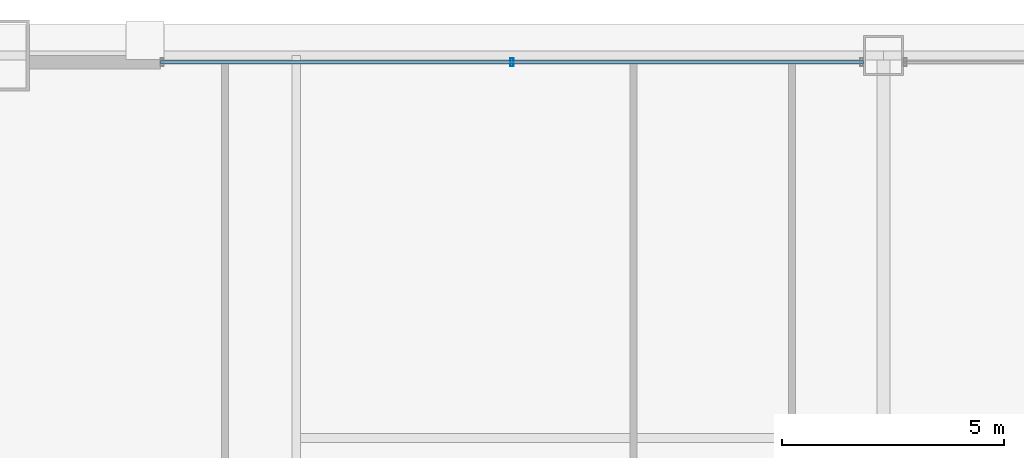
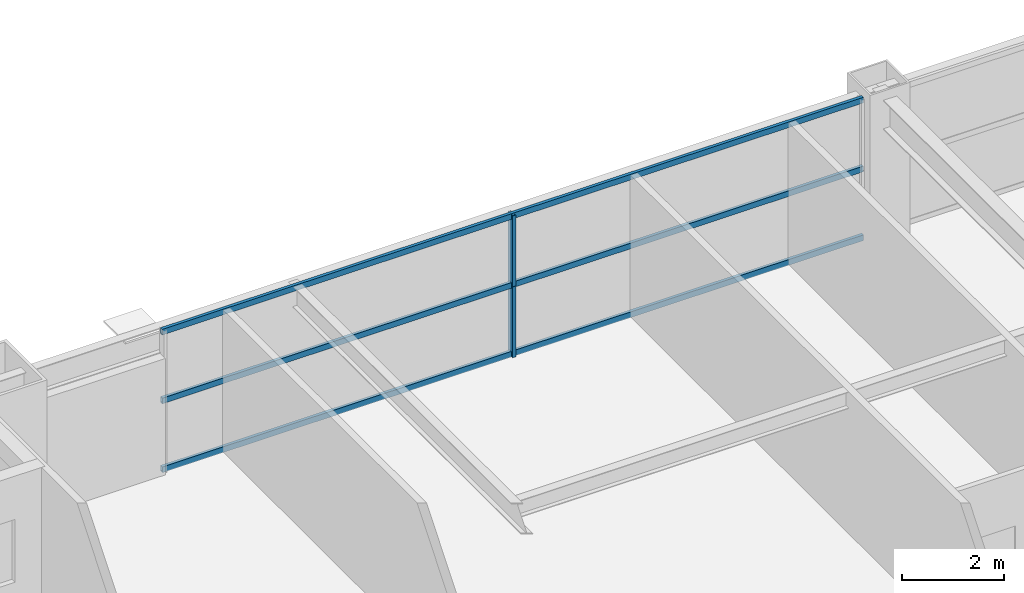
# One storey, part 24 of 38: 5 members, 1 element without a shape of its own.
"""IFC4 building model written with IfcOpenShell, lengths in metres."""

from ifc_helpers import new_model, si_unit, direction, frame, origin, origin_2d, place, context, subcontext, project, spatial, hollow_rectangle, extrude, source, transform, mapped, material, layer, layer_set, material_profile, profile_set, type_object, element, aggregate, save


model = new_model("IFC4")

# Units and contexts
model_context = context("Model", 3, precision=1e-05, world=origin(), true_north=direction((0.0, 1.0)))
body_context = subcontext(model_context, "Body", "Model", "MODEL_VIEW")
ifc_project = project(units=[si_unit("LENGTHUNIT", "METRE"), si_unit("AREAUNIT", "SQUARE_METRE"), si_unit("VOLUMEUNIT", "CUBIC_METRE"), si_unit("PLANEANGLEUNIT", "RADIAN"), si_unit("MASSUNIT", "GRAM", prefix="KILO"), si_unit("THERMODYNAMICTEMPERATUREUNIT", "KELVIN"), si_unit("POWERUNIT", "WATT")], contexts=[model_context])

# Site, building, storey
site_placement = place(None, origin())
site = spatial("IfcSite", under=ifc_project, at=site_placement, CompositionType="ELEMENT")
building_placement = place(site_placement, origin())
building = spatial("IfcBuilding", under=site, at=building_placement, Name="Yuzanri Waterfront Tower", CompositionType="ELEMENT")
storey_placement = place(building_placement, frame((0.0, 0.0, 111.800048828125)))
storey = spatial("IfcBuildingStorey", under=building, at=storey_placement, Name="L29", CompositionType="ELEMENT", Elevation=111.800048828125)

# Curtain wall, members
ifc_material_1 = material(Name="Anodized Architectural Bronze", Category="metal")
ifc_layer = layer(ifc_material_1, 0.159912109375)
ifc_layer_set = layer_set([ifc_layer], Name="Anodized Architectural Bronze")
curtain_wall_type = type_object("IfcCurtainWallType", Name="Anodized Bronze Hotel Upper-Tier Solar-Control Unitized Curtain Wall 7800", PredefinedType="NOTDEFINED", material=ifc_layer_set)
curtain_wall_placement = place(storey_placement, origin())
curtain_wall = element("IfcCurtainWall", 1, at=curtain_wall_placement, inside=storey, type_object=curtain_wall_type, Name="L29 Curtain Wall CW-L29-NL", PredefinedType="NOTDEFINED")
ifc_material_2 = material(Name="Anodized Architectural Bronze", Category="metal")
ifc_material_profile_1 = material_profile(ifc_material_2, hollow_rectangle(XDim=0.070068359375, YDim=0.179931640625, WallThickness=0.00390625, at=origin_2d()), Name="CWM 70x180")
ifc_profile_set_1 = profile_set([ifc_material_profile_1], Name="Anodized Architectural Bronze")
member_type_1 = type_object("IfcMemberType", Name="Anodized Bronze Standard Curtain-Wall Mullion 70x180", PredefinedType="MULLION", material=ifc_profile_set_1)
shared_shape_1 = source(origin(), body_context, "Body", "SweptSolid", [
    extrude(hollow_rectangle(XDim=0.070068359375, YDim=0.179931640625, WallThickness=0.00390625, at=origin_2d()), origin(), (0.0, 0.0, 1.0), 1.68798828125),
])
member_1_placement = place(storey_placement, frame((28.64990234375, 49.25, 0.0), z_axis=(0.0, 0.0, 1.0), x_axis=(1.0, 0.0, 0.0)))
member_1 = element("IfcMember", 2, at=member_1_placement, type_object=member_type_1, Name="CW-L29-NL Lower Mullion 01", PredefinedType="MULLION", context=body_context, shape_type="MappedRepresentation", body=[
    mapped(shared_shape_1, transform((0.0, 0.0, 0.0), scale=1.0)),
])
member_2_placement = place(storey_placement, frame((28.64990234375, 49.25, 1.69189453125), z_axis=(0.0, 0.0, 1.0), x_axis=(1.0, 0.0, 0.0)))
member_2 = element("IfcMember", 3, at=member_2_placement, type_object=member_type_1, Name="CW-L29-NL Upper Mullion 01", PredefinedType="MULLION", context=body_context, shape_type="MappedRepresentation", body=[
    mapped(shared_shape_1, transform((0.0, 0.0, 0.0), scale=1.0)),
])
ifc_material_3 = material(Name="Anodized Architectural Bronze", Category="metal")
ifc_material_profile_2 = material_profile(ifc_material_3, hollow_rectangle(XDim=0.070068359375, YDim=0.135009765625, WallThickness=0.00341796875, at=origin_2d()), Name="CWT 70x135")
ifc_profile_set_2 = profile_set([ifc_material_profile_2], Name="Anodized Architectural Bronze")
member_type_2 = type_object("IfcMemberType", Name="Anodized Bronze Standard Curtain-Wall Transom 70x135", PredefinedType="USERDEFINED", material=ifc_profile_set_2)
shared_shape_2 = source(origin(), body_context, "Body", "SweptSolid", [
    extrude(hollow_rectangle(XDim=0.070068359375, YDim=0.135009765625, WallThickness=0.00341796875, at=origin_2d()), origin(), (0.0, 0.0, 1.0), 15.800048828125),
])
member_3_placement = place(storey_placement, frame((20.75, 49.25, 0.050048828125), z_axis=(1.0, 0.0, 0.0), x_axis=(0.0, 1.0, 0.0)))
member_3 = element("IfcMember", 4, at=member_3_placement, type_object=member_type_2, Name="CW-L29-NL Transom 1", ObjectType="TRANSOM", PredefinedType="USERDEFINED", context=body_context, shape_type="MappedRepresentation", body=[
    mapped(shared_shape_2, transform((0.0, 0.0, 0.0), scale=1.0)),
])
member_4_placement = place(storey_placement, frame((20.75, 49.25, 1.68994140625), z_axis=(1.0, 0.0, 0.0), x_axis=(0.0, 1.0, 0.0)))
member_4 = element("IfcMember", 5, at=member_4_placement, type_object=member_type_2, Name="CW-L29-NL Transom 2", ObjectType="TRANSOM", PredefinedType="USERDEFINED", context=body_context, shape_type="MappedRepresentation", body=[
    mapped(shared_shape_2, transform((0.0, 0.0, 0.0), scale=1.0)),
])
member_5_placement = place(storey_placement, frame((20.75, 49.25, 3.329833984375), z_axis=(1.0, 0.0, 0.0), x_axis=(0.0, 1.0, 0.0)))
member_5 = element("IfcMember", 6, at=member_5_placement, type_object=member_type_2, Name="CW-L29-NL Transom 3", ObjectType="TRANSOM", PredefinedType="USERDEFINED", context=body_context, shape_type="MappedRepresentation", body=[
    mapped(shared_shape_2, transform((0.0, 0.0, 0.0), scale=1.0)),
])
aggregate(curtain_wall, [member_1, member_2, member_3, member_4, member_5])

save(model, "model.ifc")
